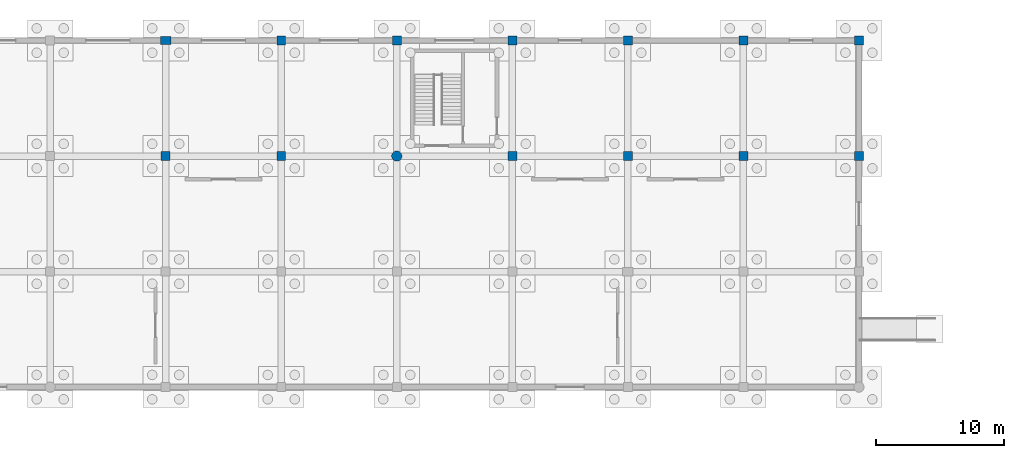
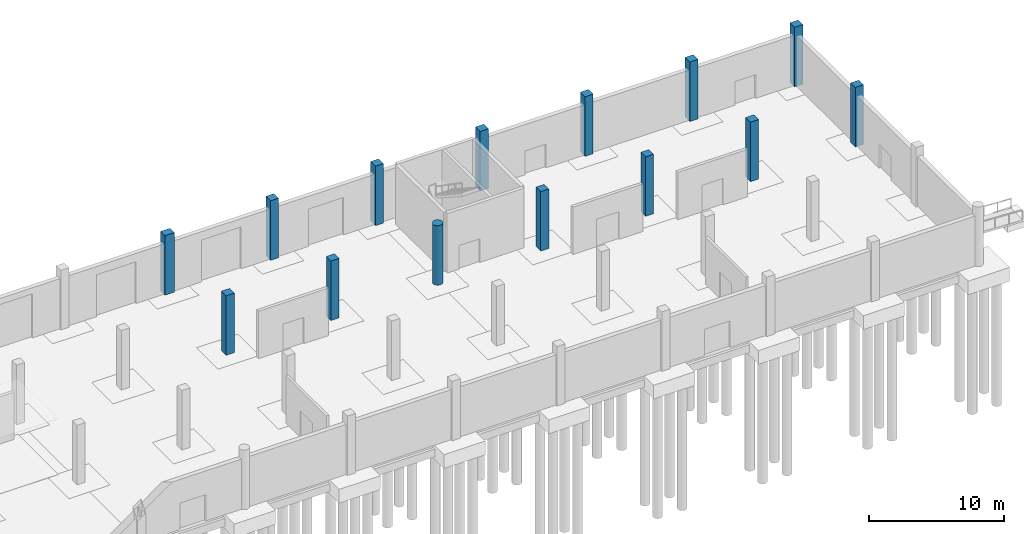
# One storey, part 50 of 118: 14 columns.
"""IFC4 building model written with IfcOpenShell, lengths in metres."""

import ifcopenshell
import ifcopenshell.guid

model = None  # the IFC model being written
_history = None  # IfcOwnerHistory: only IFC2X3 demands one
_inside = {}  # id of a spatial element -> (the spatial element, [elements in it])
_under = {}  # id of a project, library or spatial element -> (it, [spatial elements below it])
_declared = {}  # id of a project -> (the project, [libraries it declares])
_typed = {}  # id of a type object -> (the type object, [elements of that type])
_made_of = {}  # id of a material, layer set ... -> (it, [elements and type objects made of it])


def new_model(schema):
    """Start an empty IFC model of exactly this schema.

    Asked for "IFC4X3", IfcOpenShell would pick the latest addendum, in which some entities
    have other attributes; the version numbers below select the first issue.
    IFC2X3 requires an IfcOwnerHistory on every rooted entity: one is made here for all.
    """
    global model, _history
    if schema == "IFC4X3":
        model = ifcopenshell.file(schema_version=(4, 3, 0, 0))
    else:
        model = ifcopenshell.file(schema=schema)
    _inside.clear()
    _under.clear()
    _declared.clear()
    _typed.clear()
    _made_of.clear()
    _history = None
    if model.schema == "IFC2X3":
        org = make("IfcOrganization", Name="unknown")
        user = make(
            "IfcPersonAndOrganization",
            ThePerson=make("IfcPerson", FamilyName="unknown"),
            TheOrganization=org,
        )
        app = make(
            "IfcApplication",
            ApplicationDeveloper=org,
            Version="unknown",
            ApplicationFullName="unknown",
            ApplicationIdentifier="unknown",
        )
        _history = make(
            "IfcOwnerHistory",
            OwningUser=user,
            OwningApplication=app,
            ChangeAction="ADDED",
            CreationDate=0,
        )
    return model


def make(cls, **values):
    """One entity of the class cls with the attributes given. An attribute that is None is left unset."""
    return model.create_entity(
        cls, **{name: value for name, value in values.items() if value is not None}
    )


def rooted(cls, **values):
    """An entity with a GlobalId (a new one), such as an element, a storey or a relation."""
    return make(cls, GlobalId=ifcopenshell.guid.new(), OwnerHistory=_history, **values)


def si_unit(unit_type, name, prefix=None):
    """IfcSIUnit, for example si_unit("LENGTHUNIT", "METRE", prefix="MILLI")."""
    return make("IfcSIUnit", UnitType=unit_type, Prefix=prefix, Name=name)


def assignment(units):
    """IfcUnitAssignment: the units of a project."""
    return None if units is None else make("IfcUnitAssignment", Units=units)


def point(xyz):
    """IfcCartesianPoint."""
    return None if xyz is None else make("IfcCartesianPoint", Coordinates=xyz)


def direction(xyz):
    """IfcDirection."""
    return None if xyz is None else make("IfcDirection", DirectionRatios=xyz)


def frame(location, z_axis=None, x_axis=None):
    """IfcAxis2Placement3D, a coordinate frame: its origin and axes. An axis left out is left unset."""
    return make(
        "IfcAxis2Placement3D",
        Location=point(location),
        Axis=direction(z_axis),
        RefDirection=direction(x_axis),
    )


def frame_2d(location, x_axis=None):
    """IfcAxis2Placement2D, a coordinate frame in the plane: its origin and x axis."""
    return make(
        "IfcAxis2Placement2D", Location=point(location), RefDirection=direction(x_axis)
    )


def origin():
    """The frame at (0, 0, 0) with its axes left unset."""
    return frame((0.0, 0.0, 0.0))


def origin_2d():
    """The frame at (0, 0) in the plane with its x axis left unset."""
    return frame_2d((0.0, 0.0))


def place(relative_to, where):
    """IfcLocalPlacement: puts the frame where relative to a parent placement (None: the world)."""
    return make(
        "IfcLocalPlacement", PlacementRelTo=relative_to, RelativePlacement=where
    )


def context(
    kind, dimensions, precision=None, world=None, true_north=None, identifier=None
):
    """IfcGeometricRepresentationContext, for example the 3D "Model" context."""
    return make(
        "IfcGeometricRepresentationContext",
        ContextIdentifier=identifier,
        ContextType=kind,
        CoordinateSpaceDimension=dimensions,
        Precision=precision,
        WorldCoordinateSystem=world,
        TrueNorth=true_north,
    )


def subcontext(parent, identifier, kind, view, scale=None):
    """IfcGeometricRepresentationSubContext, for example "Body" below "Model"."""
    return make(
        "IfcGeometricRepresentationSubContext",
        ContextIdentifier=identifier,
        ContextType=kind,
        ParentContext=parent,
        TargetScale=scale,
        TargetView=view,
    )


def project(units=None, contexts=None):
    """IfcProject with its units and contexts."""
    return rooted(
        "IfcProject",
        Name="project",
        RepresentationContexts=contexts,
        UnitsInContext=assignment(units),
    )


def spatial(cls, under=None, at=None, **own):
    """A site, building, storey or space (cls), placed at a placement, below another one or the project."""
    s = rooted(cls, ObjectPlacement=at, **own)
    if under is not None:
        _under.setdefault(under.id(), (under, []))[1].append(s)
    return s


def profile(cls, at=None, kind="AREA", **sizes):
    """A parametric profile (cls). Its sizes go by their IFC names, for example OverallWidth=200.0."""
    return make(cls, ProfileType=kind, Position=at, **sizes)


def rectangle(**sizes):
    """IfcRectangleProfileDef."""
    return profile("IfcRectangleProfileDef", **sizes)


def circle(**sizes):
    """IfcCircleProfileDef."""
    return profile("IfcCircleProfileDef", **sizes)


def extrude(swept, where, along, depth):
    """IfcExtrudedAreaSolid: the profile swept, set in the frame where, extruded along a direction by depth."""
    return make(
        "IfcExtrudedAreaSolid",
        SweptArea=swept,
        Position=where,
        ExtrudedDirection=direction(along),
        Depth=depth,
    )


def shape(context_of_items, identifier, shape_type, items):
    """IfcShapeRepresentation: the items that make up one representation, for example the "Body"."""
    return make(
        "IfcShapeRepresentation",
        ContextOfItems=context_of_items,
        RepresentationIdentifier=identifier,
        RepresentationType=shape_type,
        Items=items,
    )


def material(Name=None, Category=None):
    """IfcMaterial."""
    return make("IfcMaterial", Name=Name, Category=Category)


def material_profile(
    of_material, cross_section, Name=None, Category=None, Priority=None
):
    """IfcMaterialProfile: a cross section and its material."""
    return make(
        "IfcMaterialProfile",
        Name=Name,
        Material=of_material,
        Profile=cross_section,
        Priority=Priority,
        Category=Category,
    )


def profile_set(profiles, Name=None, composite=None):
    """IfcMaterialProfileSet."""
    return make(
        "IfcMaterialProfileSet",
        Name=Name,
        MaterialProfiles=profiles,
        CompositeProfile=composite,
    )


def made_of(thing, what):
    """Note that an element or type object is made of a material, layer set ...; save() writes the relation."""
    if what is not None:
        _made_of.setdefault(what.id(), (what, []))[1].append(thing)
    return thing


def type_object(cls, material=None, **own):
    """A type object (cls), such as IfcWallType, which elements share."""
    return made_of(rooted(cls, **own), material)


def element(
    cls,
    number,
    at=None,
    inside=None,
    cuts=None,
    type_object=None,
    material=None,
    context=None,
    identifier="Body",
    shape_type=None,
    held_by="IfcProductDefinitionShape",
    body=None,
    shapes=None,
    **own,
):
    """One element of the class cls, such as IfcWall. Its Tag is "e" and its number.

    at: its placement. inside: the storey or other place that contains it. cuts: it is an
    opening in that element (IfcRelVoidsElement). A single representation is given by context,
    identifier, shape_type and body (its items); several are given by shapes. held_by: the class
    of the entity that holds the representations. save() writes the other relations.
    """
    e = rooted(cls, Tag="e%d" % number, ObjectPlacement=at, **own)
    if body is not None:
        shapes = [shape(context, identifier, shape_type, body)]
    if shapes is not None:
        e.Representation = make(held_by, Representations=shapes)
    if inside is not None:
        _inside.setdefault(inside.id(), (inside, []))[1].append(e)
    if cuts is not None:
        rooted(
            "IfcRelVoidsElement", RelatingBuildingElement=cuts, RelatedOpeningElement=e
        )
    if type_object is not None:
        _typed.setdefault(type_object.id(), (type_object, []))[1].append(e)
    return made_of(e, material)


def aggregate(whole, parts):
    """IfcRelAggregates: a whole, such as a stair, and the parts it consists of."""
    return rooted("IfcRelAggregates", RelatingObject=whole, RelatedObjects=parts)


def save(model, path):
    """Write the relations noted so far, then the file.

    IfcRelAggregates (storeys below a building ...), IfcRelContainedInSpatialStructure (elements
    in a storey), IfcRelDefinesByType, IfcRelAssociatesMaterial and IfcRelDeclares: one each for
    every whole, place, type object, material and project.
    """
    for whole, parts in _under.values():
        aggregate(whole, parts)
    for where, things in _inside.values():
        rooted(
            "IfcRelContainedInSpatialStructure",
            RelatedElements=things,
            RelatingStructure=where,
        )
    for kind, things in _typed.values():
        rooted("IfcRelDefinesByType", RelatedObjects=things, RelatingType=kind)
    for what, things in _made_of.values():
        rooted("IfcRelAssociatesMaterial", RelatedObjects=things, RelatingMaterial=what)
    for by, libraries in _declared.values():
        rooted("IfcRelDeclares", RelatingContext=by, RelatedDefinitions=libraries)
    model.write(path)


model = new_model("IFC4")

# Units and contexts
model_context = context("Model", 3, precision=1e-05, world=origin(), true_north=direction((0.0, 1.0)))
body_context = subcontext(model_context, "Body", "Model", "MODEL_VIEW")
ifc_project = project(units=[si_unit("LENGTHUNIT", "METRE"), si_unit("AREAUNIT", "SQUARE_METRE"), si_unit("VOLUMEUNIT", "CUBIC_METRE"), si_unit("PLANEANGLEUNIT", "RADIAN"), si_unit("MASSUNIT", "GRAM", prefix="KILO")], contexts=[model_context])

# Site, building, storey
site_placement = place(None, origin())
site = spatial("IfcSite", under=ifc_project, at=site_placement, CompositionType="ELEMENT")
building_placement = place(site_placement, origin())
building = spatial("IfcBuilding", under=site, at=building_placement, Name="Kildeholm Park Wholesale Market", CompositionType="ELEMENT")
storey_placement = place(building_placement, origin())
storey = spatial("IfcBuildingStorey", under=building, at=storey_placement, Name="L00", CompositionType="ELEMENT", Elevation=0.0)

# Columns
ifc_material = material(Name="Concrete C40/50", Category="concrete")
ifc_material_profile_1 = material_profile(ifc_material, rectangle(XDim=0.699951171875, YDim=0.699951171875, at=origin_2d()), Name="RC 700x700")
ifc_profile_set_1 = profile_set([ifc_material_profile_1], Name="Concrete C40/50")
column_type_1 = type_object("IfcColumnType", Name="Column C-R03 RC 700x700", PredefinedType="COLUMN", material=ifc_profile_set_1)
for number, where, z_axis, x_axis, name in (
    (1, (126.0, 162.0, 0.0), (0.0, 0.0, 1.0), (1.0, 0.0, 0.0), "Column V4-126-162 L00 COL-0568"),
    (2, (135.0, 162.0, 0.0), (0.0, 0.0, 1.0), (1.0, 0.0, 0.0), "Column V4-135-162 L00 COL-0579"),
    (3, (135.0, 171.0, 0.0), (0.0, 0.0, 1.0), (1.0, 0.0, 0.0), "Column V4-135-171 L00 COL-0582"),
    (4, (144.0, 171.0, 0.0), (0.0, 0.0, 1.0), (1.0, 0.0, 0.0), "Column V4-144-171 L00 COL-0593"),
    (5, (153.0, 162.0, 0.0), (0.0, 0.0, 1.0), (1.0, 0.0, 0.0), "Column V4-153-162 L00 COL-0601"),
    (6, (153.0, 171.0, 0.0), (0.0, 0.0, 1.0), (1.0, 0.0, 0.0), "Column V4-153-171 L00 COL-0604"),
    (7, (162.0, 162.0, 0.0), (0.0, 0.0, 1.0), (1.0, 0.0, 0.0), "Column V4-162-162 L00 COL-0612"),
    (8, (162.0, 171.0, 0.0), (0.0, 0.0, 1.0), (1.0, 0.0, 0.0), "Column V4-162-171 L00 COL-0615"),
    (9, (171.0, 162.0, 0.0), (0.0, 0.0, 1.0), (1.0, 0.0, 0.0), "Column V4-171-162 L00 COL-0623"),
    (10, (171.0, 171.0, 0.0), (0.0, 0.0, 1.0), (1.0, 0.0, 0.0), "Column V4-171-171 L00 COL-0626"),
    (11, (180.0, 162.0, 0.0), (0.0, 0.0, 1.0), (1.0, 0.0, 0.0), "Column V4-180-162 L00 COL-0634"),
    (12, (180.0, 171.0, 0.0), (0.0, 0.0, 1.0), (1.0, 0.0, 0.0), "Column V4-180-171 L00 COL-0637"),
):
    element("IfcColumn", number, at=place(storey_placement, frame(where, z_axis=z_axis, x_axis=x_axis)), inside=storey, type_object=column_type_1, Name=name, PredefinedType="COLUMN", context=body_context, shape_type="SweptSolid", body=[
        extrude(rectangle(XDim=0.699951171875, YDim=0.699951171875, at=origin_2d()), origin(), (0.0, 0.0, 1.0), 5.39990234375),
    ])
ifc_material_profile_2 = material_profile(ifc_material, rectangle(XDim=0.800048828125, YDim=0.64990234375, at=origin_2d()), Name="RC 800x650")
ifc_profile_set_2 = profile_set([ifc_material_profile_2], Name="Concrete C40/50")
column_type_2 = type_object("IfcColumnType", Name="Column C-R04 RC 800x650", PredefinedType="COLUMN", material=ifc_profile_set_2)
column_1_placement = place(storey_placement, frame((126.0, 171.0, 0.0), z_axis=(0.0, 0.0, 1.0), x_axis=(1.0, 0.0, 0.0)))
element("IfcColumn", 13, at=column_1_placement, inside=storey, type_object=column_type_2, Name="Column V4-126-171 L00 COL-0571", PredefinedType="COLUMN", context=body_context, shape_type="SweptSolid", body=[
    extrude(rectangle(XDim=0.800048828125, YDim=0.64990234375, at=origin_2d()), origin(), (0.0, 0.0, 1.0), 5.39990234375),
])
ifc_material_profile_3 = material_profile(ifc_material, circle(Radius=0.39990234375, at=origin_2d()), Name="RC D800")
ifc_profile_set_3 = profile_set([ifc_material_profile_3], Name="Concrete C40/50")
column_type_3 = type_object("IfcColumnType", Name="Column C-R05 RC D800", PredefinedType="COLUMN", material=ifc_profile_set_3)
column_2_placement = place(storey_placement, frame((144.0, 162.0, 0.0), z_axis=(0.0, 0.0, 1.0), x_axis=(1.0, 0.0, 0.0)))
element("IfcColumn", 14, at=column_2_placement, inside=storey, type_object=column_type_3, Name="Column V4-144-162 L00 COL-0590", PredefinedType="COLUMN", context=body_context, shape_type="SweptSolid", body=[
    extrude(circle(Radius=0.39990234375, at=origin_2d()), origin(), (0.0, 0.0, 1.0), 5.39990234375),
])

save(model, "model.ifc")
